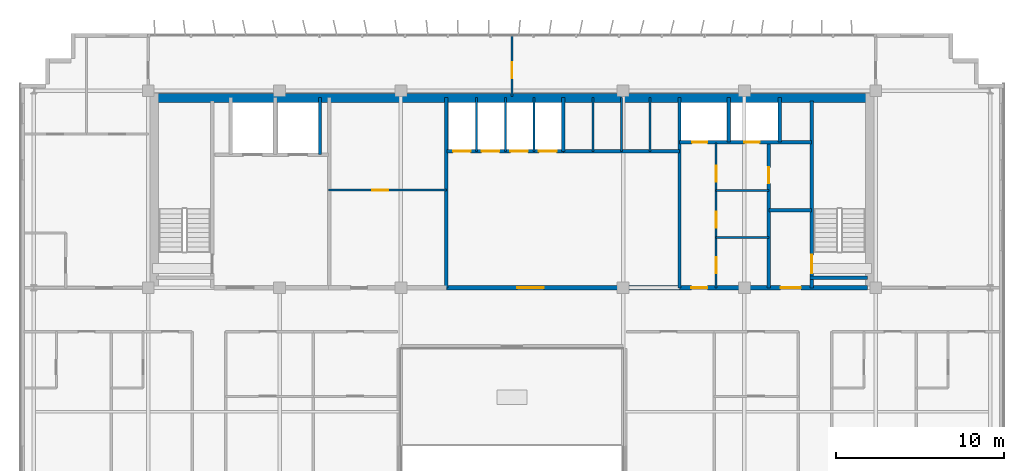
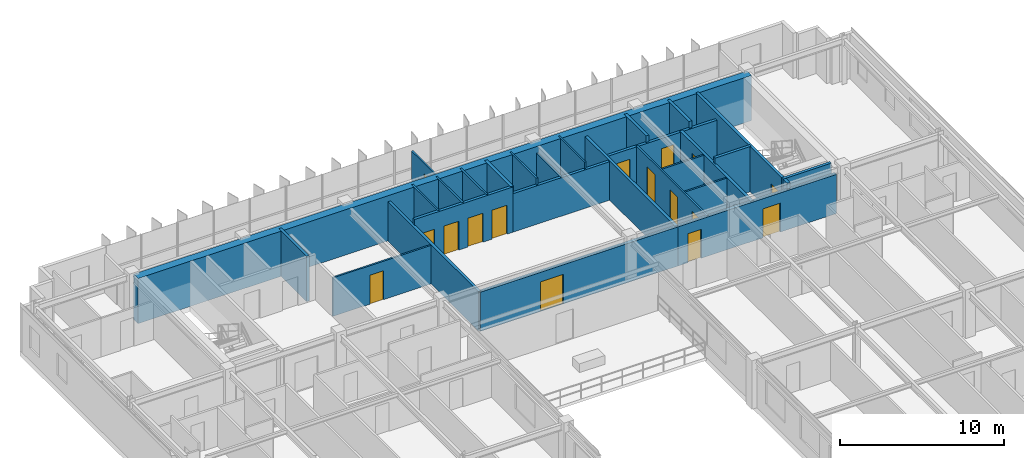
# One storey, part 20 of 23: 27 walls, 16 doors, 16 openings.
"""IFC4 building model written with IfcOpenShell, lengths in metres."""

from ifc_helpers import new_model, si_unit, direction, frame, frame_2d, origin, place, context, subcontext, project, spatial, rectangle, extrude, source, transform, mapped, material, layer, layer_set, type_object, element, fill, save


model = new_model("IFC4")

# Units and contexts
model_context = context("Model", 3, precision=1e-05, world=origin(), true_north=direction((0.0, 1.0)))
body_context = subcontext(model_context, "Body", "Model", "MODEL_VIEW")
ifc_project = project(units=[si_unit("LENGTHUNIT", "METRE"), si_unit("AREAUNIT", "SQUARE_METRE"), si_unit("VOLUMEUNIT", "CUBIC_METRE"), si_unit("PLANEANGLEUNIT", "RADIAN"), si_unit("MASSUNIT", "GRAM", prefix="KILO")], contexts=[model_context])

# Site, building, storey
site_placement = place(None, origin())
site = spatial("IfcSite", under=ifc_project, at=site_placement, CompositionType="ELEMENT")
building_placement = place(site_placement, origin())
building = spatial("IfcBuilding", under=site, at=building_placement, Name="Trelvane Seafront Commons", CompositionType="ELEMENT")
storey_placement = place(building_placement, frame((0.0, 0.0, 190.5)))
storey = spatial("IfcBuildingStorey", under=building, at=storey_placement, Name="L49", CompositionType="ELEMENT", Elevation=190.5)

# Wall, opening, door
ifc_material_1 = material(Name="Concrete C40/50", Category="concrete")
ifc_layer_1 = layer(ifc_material_1, 0.199951171875, Name="ARCH-WALL-FIRE200")
ifc_layer_set_1 = layer_set([ifc_layer_1], Name="Concrete C40/50")
wall_type_1 = type_object("IfcWallType", Name="ARCH-WALL-FIRE200", PredefinedType="PARTITIONING", material=ifc_layer_set_1)
wall_1_placement = place(storey_placement, frame((52.449951171875, 33.39990234375, 0.0), z_axis=(0.0, 0.0, 1.0), x_axis=(0.0, 1.0, 0.0)))
wall_1 = element("IfcWall", 1, at=wall_1_placement, inside=storey, type_object=wall_type_1, Name="W-L49-ST2V-W-031", PredefinedType="PARTITIONING", context=body_context, shape_type="SweptSolid", body=[
    extrude(rectangle(XDim=8.650146484375, YDim=0.199951171875, at=frame_2d((4.3251953125, 0.0))), origin(), (0.0, 0.0, 1.0), 2.909912109375),
])
opening_1_placement = place(wall_1_placement, frame((6.199951171875, 0.0, 0.0)))
opening_1 = element("IfcOpeningElement", 2, at=opening_1_placement, cuts=wall_1, Name="Opening FD-L49-15", PredefinedType="OPENING", context=body_context, shape_type="SweptSolid", body=[
    extrude(rectangle(XDim=0.949951171875, YDim=2.14990234375, at=frame_2d((0.47509765625, 1.074951171875))), frame((0.0, 0.10986328125, 0.0), z_axis=(0.0, -1.0, 0.0), x_axis=(1.0, 0.0, 0.0)), (0.0, 0.0, 1.0), 0.219970703125),
])
ifc_material_2 = material(Name="Powder-coated aluminium frame", Category="aluminium")
door_type_1 = type_object("IfcDoorType", Name="ARCH-DR-FD60-950", OperationType="NOTDEFINED", PredefinedType="DOOR", material=ifc_material_2)
shared_shape_1 = source(origin(), body_context, "Body", "SweptSolid", [
    extrude(rectangle(XDim=0.949951171875, YDim=2.14990234375, at=frame_2d((0.47509765625, 1.074951171875))), frame((0.0, 0.02490234375, 0.0), z_axis=(0.0, -1.0, 0.0), x_axis=(1.0, 0.0, 0.0)), (0.0, 0.0, 1.0), 0.050048828125),
])
door_1_placement = place(opening_1_placement, origin())
door_1 = element("IfcDoor", 3, at=door_1_placement, inside=storey, type_object=door_type_1, Name="L49 Cleaner Store Door", OperationType="SINGLE_SWING_LEFT", OverallHeight=2.14990234375, OverallWidth=0.949951171875, PredefinedType="DOOR", context=body_context, shape_type="MappedRepresentation", body=[
    mapped(shared_shape_1, transform((0.0, 0.0, 0.0), x_axis=(1.0, 0.0, 0.0), y_axis=(0.0, 1.0, 0.0), z_axis=(0.0, 0.0, 1.0), scale=1.0)),
])
fill(opening_1, door_1)

# Wall
wall_2_placement = place(storey_placement, frame((52.449951171875, 38.0, 0.0), z_axis=(0.0, 0.0, 1.0), x_axis=(1.0, 0.0, 0.0)))
element("IfcWall", 4, at=wall_2_placement, inside=storey, type_object=wall_type_1, Name="W-L49-ST2V-N-032", PredefinedType="PARTITIONING", context=body_context, shape_type="SweptSolid", body=[
    extrude(rectangle(XDim=2.550048828125, YDim=0.199951171875, at=frame_2d((1.27490234375, 0.0))), origin(), (0.0, 0.0, 1.0), 3.360107421875),
])

# Wall, opening, door
ifc_layer_2 = layer(ifc_material_1, 0.25, Name="ARCH-WALL-FIRE250")
ifc_layer_set_2 = layer_set([ifc_layer_2], Name="Concrete C40/50")
wall_type_2 = type_object("IfcWallType", Name="ARCH-WALL-FIRE250", PredefinedType="PARTITIONING", material=ifc_layer_set_2)
wall_3_placement = place(storey_placement, frame((33.300048828125, 33.39990234375, 0.0), z_axis=(0.0, 0.0, 1.0), x_axis=(1.0, 0.0, 0.0)))
wall_3 = element("IfcWall", 5, at=wall_3_placement, inside=storey, type_object=wall_type_2, Name="W-L49-CS-PAX-027", PredefinedType="PARTITIONING", context=body_context, shape_type="SweptSolid", body=[
    extrude(rectangle(XDim=13.849853515625, YDim=0.25, at=frame_2d((6.9248046875, 0.0))), origin(), (0.0, 0.0, 1.0), 2.909912109375),
])
opening_2_placement = place(wall_3_placement, frame((4.199951171875, 0.0, 0.0)))
opening_2 = element("IfcOpeningElement", 6, at=opening_2_placement, cuts=wall_3, Name="Opening FD-L49-12", PredefinedType="OPENING", context=body_context, shape_type="SweptSolid", body=[
    extrude(rectangle(XDim=1.60009765625, YDim=2.199951171875, at=frame_2d((0.800048828125, 1.10009765625))), frame((0.0, 0.135009765625, 0.0), z_axis=(0.0, -1.0, 0.0), x_axis=(1.0, 0.0, 0.0)), (0.0, 0.0, 1.0), 0.27001953125),
])
door_type_2 = type_object("IfcDoorType", Name="ARCH-DR-FD60-1600", OperationType="DOUBLE_DOOR_SINGLE_SWING", PredefinedType="DOOR", material=ifc_material_2)
shared_shape_2 = source(origin(), body_context, "Body", "SweptSolid", [
    extrude(rectangle(XDim=1.60009765625, YDim=2.199951171875, at=frame_2d((0.800048828125, 1.10009765625))), frame((0.0, 0.02490234375, 0.0), z_axis=(0.0, -1.0, 0.0), x_axis=(1.0, 0.0, 0.0)), (0.0, 0.0, 1.0), 0.050048828125),
])
door_2_placement = place(opening_2_placement, origin())
door_2 = element("IfcDoor", 7, at=door_2_placement, inside=storey, type_object=door_type_2, Name="L49 Passenger Lift Lobby Double Door", OperationType="DOUBLE_DOOR_SINGLE_SWING", OverallHeight=2.199951171875, OverallWidth=1.60009765625, PredefinedType="DOOR", context=body_context, shape_type="MappedRepresentation", body=[
    mapped(shared_shape_2, transform((0.0, 0.0, 0.0), x_axis=(1.0, 0.0, 0.0), y_axis=(0.0, 1.0, 0.0), z_axis=(0.0, 0.0, 1.0), scale=1.0)),
])
fill(opening_2, door_2)

# Wall, openings, doors
wall_4_placement = place(storey_placement, frame((47.14990234375, 33.39990234375, 0.0), z_axis=(0.0, 0.0, 1.0), x_axis=(1.0, 0.0, 0.0)))
wall_4 = element("IfcWall", 8, at=wall_4_placement, inside=storey, type_object=wall_type_2, Name="W-L49-CS-EAST-036", PredefinedType="PARTITIONING", context=body_context, shape_type="SweptSolid", body=[
    extrude(rectangle(XDim=11.150146484375, YDim=0.25, at=frame_2d((5.5751953125, 0.0))), origin(), (0.0, 0.0, 1.0), 2.909912109375),
])
opening_3_placement = place(wall_4_placement, frame((0.699951171875, 0.0, 0.0)))
opening_3 = element("IfcOpeningElement", 9, at=opening_3_placement, cuts=wall_4, Name="Opening FD-L49-19", PredefinedType="OPENING", context=body_context, shape_type="SweptSolid", body=[
    extrude(rectangle(XDim=0.949951171875, YDim=2.14990234375, at=frame_2d((0.47509765625, 1.074951171875))), frame((0.0, 0.135009765625, 0.0), z_axis=(0.0, -1.0, 0.0), x_axis=(1.0, 0.0, 0.0)), (0.0, 0.0, 1.0), 0.27001953125),
])
opening_4_placement = place(wall_4_placement, frame((6.0, 0.0, 0.0)))
opening_4 = element("IfcOpeningElement", 10, at=opening_4_placement, cuts=wall_4, Name="Opening FD-L49-20", PredefinedType="OPENING", context=body_context, shape_type="SweptSolid", body=[
    extrude(rectangle(XDim=1.199951171875, YDim=2.14990234375, at=frame_2d((0.60009765625, 1.074951171875))), frame((0.0, 0.135009765625, 0.0), z_axis=(0.0, -1.0, 0.0), x_axis=(1.0, 0.0, 0.0)), (0.0, 0.0, 1.0), 0.27001953125),
])
door_3_placement = place(opening_3_placement, origin())
door_3 = element("IfcDoor", 11, at=door_3_placement, inside=storey, type_object=door_type_1, Name="L49 Core Service Lobby Door", OperationType="SINGLE_SWING_LEFT", OverallHeight=2.14990234375, OverallWidth=0.949951171875, PredefinedType="DOOR", context=body_context, shape_type="MappedRepresentation", body=[
    mapped(shared_shape_1, transform((0.0, 0.0, 0.0), x_axis=(1.0, 0.0, 0.0), y_axis=(0.0, 1.0, 0.0), z_axis=(0.0, 0.0, 1.0), scale=1.0)),
])
fill(opening_3, door_3)
door_type_3 = type_object("IfcDoorType", Name="ARCH-DR-FD60-1200", OperationType="NOTDEFINED", PredefinedType="DOOR", material=ifc_material_2)
shared_shape_3 = source(origin(), body_context, "Body", "SweptSolid", [
    extrude(rectangle(XDim=1.199951171875, YDim=2.14990234375, at=frame_2d((0.60009765625, 1.074951171875))), frame((0.0, 0.02490234375, 0.0), z_axis=(0.0, -1.0, 0.0), x_axis=(1.0, 0.0, 0.0)), (0.0, 0.0, 1.0), 0.050048828125),
])
door_4_placement = place(opening_4_placement, origin())
door_4 = element("IfcDoor", 12, at=door_4_placement, inside=storey, type_object=door_type_3, Name="L49 East Stair Vestibule Fire Door", OperationType="SINGLE_SWING_RIGHT", OverallHeight=2.14990234375, OverallWidth=1.199951171875, PredefinedType="DOOR", context=body_context, shape_type="MappedRepresentation", body=[
    mapped(shared_shape_3, transform((0.0, 0.0, 0.0), x_axis=(1.0, 0.0, 0.0), y_axis=(0.0, 1.0, 0.0), z_axis=(0.0, 0.0, 1.0), scale=1.0)),
])
fill(opening_4, door_4)

# Wall, opening, door
ifc_material_3 = material(Name="Gypsum Drywall Acoustic Partition")
ifc_layer_3 = layer(ifc_material_3, 0.1201171875, Name="ARCH-WALL-PART120")
ifc_layer_set_3 = layer_set([ifc_layer_3], Name="Gypsum Drywall Acoustic Partition")
wall_type_3 = type_object("IfcWallType", Name="ARCH-WALL-PART120", PredefinedType="PARTITIONING", material=ifc_layer_set_3)
wall_5_placement = place(storey_placement, frame((26.300048828125, 39.199951171875, 0.0), z_axis=(0.0, 0.0, 1.0), x_axis=(1.0, 0.0, 0.0)))
wall_5 = element("IfcWall", 13, at=wall_5_placement, inside=storey, type_object=wall_type_3, Name="W-L49-FREED-PL-MID-014", PredefinedType="PARTITIONING", context=body_context, shape_type="SweptSolid", body=[
    extrude(rectangle(XDim=7.0, YDim=0.1201171875, at=frame_2d((3.5, 0.0))), origin(), (0.0, 0.0, 1.0), 2.860107421875),
])
opening_5_placement = place(wall_5_placement, frame((2.60009765625, 0.0, 0.0)))
opening_5 = element("IfcOpeningElement", 14, at=opening_5_placement, cuts=wall_5, Name="Opening D-L49-06", PredefinedType="OPENING", context=body_context, shape_type="SweptSolid", body=[
    extrude(rectangle(XDim=0.949951171875, YDim=2.14990234375, at=frame_2d((0.47509765625, 1.074951171875))), frame((0.0, 0.070068359375, 0.0), z_axis=(0.0, -1.0, 0.0), x_axis=(1.0, 0.0, 0.0)), (0.0, 0.0, 1.0), 0.14013671875),
])
ifc_material_4 = material(Name="Acoustic timber door leaf", Category="wood")
door_type_4 = type_object("IfcDoorType", Name="ARCH-DR-INT950", OperationType="NOTDEFINED", PredefinedType="DOOR", material=ifc_material_4)
door_5_placement = place(opening_5_placement, origin())
door_5 = element("IfcDoor", 15, at=door_5_placement, inside=storey, type_object=door_type_4, Name="L49 Housekeeping Store Door", OperationType="SINGLE_SWING_RIGHT", OverallHeight=2.14990234375, OverallWidth=0.949951171875, PredefinedType="DOOR", context=body_context, shape_type="MappedRepresentation", body=[
    mapped(shared_shape_1, transform((0.0, 0.0, 0.0), x_axis=(1.0, 0.0, 0.0), y_axis=(0.0, 1.0, 0.0), z_axis=(0.0, 0.0, 1.0), scale=1.0)),
])
fill(opening_5, door_5)

# Walls
for number, where, z_axis, x_axis, name in (
    (16, (35.10009765625, 41.5, 0.0), (0.0, 0.0, 1.0), (0.0, 1.0, 0.0), "W-L49-PM-DIV1-017"),
    (17, (36.800048828125, 41.5, 0.0), (0.0, 0.0, 1.0), (0.0, 1.0, 0.0), "W-L49-PM-DIV2-018"),
    (18, (38.5, 41.5, 0.0), (0.0, 0.0, 1.0), (0.0, 1.0, 0.0), "W-L49-PM-DIV3-019"),
    (19, (42.0, 41.5, 0.0), (0.0, 0.0, 1.0), (0.0, 1.0, 0.0), "W-L49-PH-DIV1-022"),
):
    element("IfcWall", number, at=place(storey_placement, frame(where, z_axis=z_axis, x_axis=x_axis)), inside=storey, type_object=wall_type_3, Name=name, PredefinedType="PARTITIONING", context=body_context, shape_type="SweptSolid", body=[
        extrude(rectangle(XDim=3.199951171875, YDim=0.1201171875, at=frame_2d((1.60009765625, 0.0))), origin(), (0.0, 0.0, 1.0), 3.360107421875),
    ])
wall_6_placement = place(storey_placement, frame((43.699951171875, 41.5, 0.0), z_axis=(0.0, 0.0, 1.0), x_axis=(0.0, 1.0, 0.0)))
element("IfcWall", 20, at=wall_6_placement, inside=storey, type_object=wall_type_3, Name="W-L49-PH-DIV2-023", PredefinedType="PARTITIONING", context=body_context, shape_type="SweptSolid", body=[
    extrude(rectangle(XDim=3.199951171875, YDim=0.1201171875, at=frame_2d((1.60009765625, 0.0))), origin(), (0.0, 0.0, 1.0), 2.860107421875),
])
wall_7_placement = place(storey_placement, frame((45.39990234375, 41.5, 0.0), z_axis=(0.0, 0.0, 1.0), x_axis=(0.0, 1.0, 0.0)))
element("IfcWall", 21, at=wall_7_placement, inside=storey, type_object=wall_type_3, Name="W-L49-PH-DIV3-024", PredefinedType="PARTITIONING", context=body_context, shape_type="SweptSolid", body=[
    extrude(rectangle(XDim=3.199951171875, YDim=0.1201171875, at=frame_2d((1.60009765625, 0.0))), origin(), (0.0, 0.0, 1.0), 3.360107421875),
])

# Wall, openings, doors
wall_8_placement = place(storey_placement, frame((49.320068359375, 33.39990234375, 0.0), z_axis=(0.0, 0.0, 1.0), x_axis=(0.0, 1.0, 0.0)))
wall_8 = element("IfcWall", 22, at=wall_8_placement, inside=storey, type_object=wall_type_3, Name="W-L49-CYC3-V-033", PredefinedType="PARTITIONING", context=body_context, shape_type="SweptSolid", body=[
    extrude(rectangle(XDim=8.60009765625, YDim=0.1201171875, at=frame_2d((4.300048828125, 0.0))), origin(), (0.0, 0.0, 1.0), 2.909912109375),
])
opening_6_placement = place(wall_8_placement, frame((0.85009765625, 0.0, 0.0)))
opening_6 = element("IfcOpeningElement", 23, at=opening_6_placement, cuts=wall_8, Name="Opening D-L49-16", PredefinedType="OPENING", context=body_context, shape_type="SweptSolid", body=[
    extrude(rectangle(XDim=0.949951171875, YDim=2.14990234375, at=frame_2d((0.47509765625, 1.074951171875))), frame((0.0, 0.070068359375, 0.0), z_axis=(0.0, -1.0, 0.0), x_axis=(1.0, 0.0, 0.0)), (0.0, 0.0, 1.0), 0.14013671875),
])
opening_7_placement = place(wall_8_placement, frame((3.550048828125, 0.0, 0.0)))
opening_7 = element("IfcOpeningElement", 24, at=opening_7_placement, cuts=wall_8, Name="Opening D-L49-17", PredefinedType="OPENING", context=body_context, shape_type="SweptSolid", body=[
    extrude(rectangle(XDim=0.949951171875, YDim=2.14990234375, at=frame_2d((0.47509765625, 1.074951171875))), frame((0.0, 0.070068359375, 0.0), z_axis=(0.0, -1.0, 0.0), x_axis=(1.0, 0.0, 0.0)), (0.0, 0.0, 1.0), 0.14013671875),
])
opening_8_placement = place(wall_8_placement, frame((6.300048828125, 0.0, 0.0)))
opening_8 = element("IfcOpeningElement", 25, at=opening_8_placement, cuts=wall_8, Name="Opening D-L49-18", PredefinedType="OPENING", context=body_context, shape_type="SweptSolid", body=[
    extrude(rectangle(XDim=0.949951171875, YDim=2.14990234375, at=frame_2d((0.47509765625, 1.074951171875))), frame((0.0, 0.070068359375, 0.0), z_axis=(0.0, -1.0, 0.0), x_axis=(1.0, 0.0, 0.0)), (0.0, 0.0, 1.0), 0.14013671875),
])
door_6_placement = place(opening_6_placement, origin())
door_6 = element("IfcDoor", 26, at=door_6_placement, inside=storey, type_object=door_type_4, Name="L49 Accessible WC Door", OperationType="SINGLE_SWING_RIGHT", OverallHeight=2.14990234375, OverallWidth=0.949951171875, PredefinedType="DOOR", context=body_context, shape_type="MappedRepresentation", body=[
    mapped(shared_shape_1, transform((0.0, 0.0, 0.0), x_axis=(1.0, 0.0, 0.0), y_axis=(0.0, 1.0, 0.0), z_axis=(0.0, 0.0, 1.0), scale=1.0)),
])
fill(opening_6, door_6)
door_7_placement = place(opening_7_placement, origin())
door_7 = element("IfcDoor", 27, at=door_7_placement, inside=storey, type_object=door_type_4, Name="L49 Staff WC Door", OperationType="SINGLE_SWING_LEFT", OverallHeight=2.14990234375, OverallWidth=0.949951171875, PredefinedType="DOOR", context=body_context, shape_type="MappedRepresentation", body=[
    mapped(shared_shape_1, transform((0.0, 0.0, 0.0), x_axis=(1.0, 0.0, 0.0), y_axis=(0.0, 1.0, 0.0), z_axis=(0.0, 0.0, 1.0), scale=1.0)),
])
fill(opening_7, door_7)
door_8_placement = place(opening_8_placement, origin())
door_8 = element("IfcDoor", 28, at=door_8_placement, inside=storey, type_object=door_type_4, Name="L49 Electrical Room Door", OperationType="SINGLE_SWING_RIGHT", OverallHeight=2.14990234375, OverallWidth=0.949951171875, PredefinedType="DOOR", context=body_context, shape_type="MappedRepresentation", body=[
    mapped(shared_shape_1, transform((0.0, 0.0, 0.0), x_axis=(1.0, 0.0, 0.0), y_axis=(0.0, 1.0, 0.0), z_axis=(0.0, 0.0, 1.0), scale=1.0)),
])
fill(opening_8, door_8)

# Walls
for number, where, z_axis, x_axis, name in (
    (29, (49.320068359375, 36.3798828125, 0.0), (0.0, 0.0, 1.0), (1.0, 0.0, 0.0), "W-L49-CYC3-H1-034"),
    (30, (49.320068359375, 39.179931640625, 0.0), (0.0, 0.0, 1.0), (1.0, 0.0, 0.0), "W-L49-CYC3-H2-035"),
):
    element("IfcWall", number, at=place(storey_placement, frame(where, z_axis=z_axis, x_axis=x_axis)), inside=storey, type_object=wall_type_3, Name=name, PredefinedType="PARTITIONING", context=body_context, shape_type="SweptSolid", body=[
        extrude(rectangle(XDim=3.1298828125, YDim=0.1201171875, at=frame_2d((1.56494140625, 0.0))), origin(), (0.0, 0.0, 1.0), 2.860107421875),
    ])

# Wall, opening, door
wall_9_placement = place(storey_placement, frame((37.199951171875, 44.75, 0.0), z_axis=(0.0, 0.0, 1.0), x_axis=(0.0, 1.0, 0.0)))
wall_9 = element("IfcWall", 31, at=wall_9_placement, inside=storey, type_object=wall_type_3, Name="W-L49-N-MID-DV-044", PredefinedType="PARTITIONING", context=body_context, shape_type="SweptSolid", body=[
    extrude(rectangle(XDim=3.610107421875, YDim=0.1201171875, at=frame_2d((1.80517578125, 0.0))), origin(), (0.0, 0.0, 1.0), 2.909912109375),
])
opening_9_placement = place(wall_9_placement, frame((1.10009765625, 0.0, 0.0)))
opening_9 = element("IfcOpeningElement", 32, at=opening_9_placement, cuts=wall_9, Name="Opening D-L49-26", PredefinedType="OPENING", context=body_context, shape_type="SweptSolid", body=[
    extrude(rectangle(XDim=0.949951171875, YDim=2.14990234375, at=frame_2d((0.47509765625, 1.074951171875))), frame((0.0, 0.070068359375, 0.0), z_axis=(0.0, -1.0, 0.0), x_axis=(1.0, 0.0, 0.0)), (0.0, 0.0, 1.0), 0.14013671875),
])
door_9_placement = place(opening_9_placement, origin())
door_9 = element("IfcDoor", 33, at=door_9_placement, inside=storey, type_object=door_type_4, Name="L49 Door 26", OperationType="SINGLE_SWING_RIGHT", OverallHeight=2.14990234375, OverallWidth=0.949951171875, PredefinedType="DOOR", context=body_context, shape_type="MappedRepresentation", body=[
    mapped(shared_shape_1, transform((0.0, 0.0, 0.0), x_axis=(1.0, 0.0, 0.0), y_axis=(0.0, 1.0, 0.0), z_axis=(0.0, 0.0, 1.0), scale=1.0)),
])
fill(opening_9, door_9)

# Walls
ifc_layer_4 = layer(ifc_material_1, 0.199951171875, Name="ARCH-WALL-SHAFT200")
ifc_layer_set_4 = layer_set([ifc_layer_4], Name="Concrete C40/50")
wall_type_4 = type_object("IfcWallType", Name="ARCH-WALL-SHAFT200", PredefinedType="SOLIDWALL", material=ifc_layer_set_4)
wall_10_placement = place(storey_placement, frame((25.800048828125, 41.300048828125, 0.0), z_axis=(0.0, 0.0, 1.0), x_axis=(0.0, 1.0, 0.0)))
element("IfcWall", 34, at=wall_10_placement, inside=storey, type_object=wall_type_4, Name="W-L49-FFL-SH-E-011", PredefinedType="SOLIDWALL", context=body_context, shape_type="SweptSolid", body=[
    extrude(rectangle(XDim=3.39990234375, YDim=0.199951171875, at=frame_2d((1.699951171875, 0.0))), origin(), (0.0, 0.0, 1.0), 3.360107421875),
])
wall_11_placement = place(storey_placement, frame((33.300048828125, 33.39990234375, 0.0), z_axis=(0.0, 0.0, 1.0), x_axis=(0.0, 1.0, 0.0)))
element("IfcWall", 35, at=wall_11_placement, inside=storey, type_object=wall_type_4, Name="W-L49-FREED-PL-E-015", PredefinedType="SOLIDWALL", context=body_context, shape_type="SweptSolid", body=[
    extrude(rectangle(XDim=11.300048828125, YDim=0.199951171875, at=frame_2d((5.64990234375, 0.0))), origin(), (0.0, 0.0, 1.0), 2.909912109375),
])

# Wall, openings, doors
wall_12_placement = place(storey_placement, frame((33.35009765625, 41.5, 0.0), z_axis=(0.0, 0.0, 1.0), x_axis=(1.0, 0.0, 0.0)))
wall_12 = element("IfcWall", 36, at=wall_12_placement, inside=storey, type_object=wall_type_4, Name="W-L49-PM-FRONT-016", PredefinedType="SOLIDWALL", context=body_context, shape_type="SweptSolid", body=[
    extrude(rectangle(XDim=6.89990234375, YDim=0.199951171875, at=frame_2d((3.449951171875, 0.0))), origin(), (0.0, 0.0, 1.0), 3.360107421875),
])
opening_10_placement = place(wall_12_placement, frame((0.35009765625, 0.0, 0.0)))
opening_10 = element("IfcOpeningElement", 37, at=opening_10_placement, cuts=wall_12, Name="Opening LD-PM1-L49", PredefinedType="OPENING", context=body_context, shape_type="SweptSolid", body=[
    extrude(rectangle(XDim=1.050048828125, YDim=2.14990234375, at=frame_2d((0.52490234375, 1.074951171875))), frame((0.0, 0.10986328125, 0.0), z_axis=(0.0, -1.0, 0.0), x_axis=(1.0, 0.0, 0.0)), (0.0, 0.0, 1.0), 0.219970703125),
])
opening_11_placement = place(wall_12_placement, frame((2.050048828125, 0.0, 0.0)))
opening_11 = element("IfcOpeningElement", 38, at=opening_11_placement, cuts=wall_12, Name="Opening LD-PM2-L49", PredefinedType="OPENING", context=body_context, shape_type="SweptSolid", body=[
    extrude(rectangle(XDim=1.050048828125, YDim=2.14990234375, at=frame_2d((0.52490234375, 1.074951171875))), frame((0.0, 0.10986328125, 0.0), z_axis=(0.0, -1.0, 0.0), x_axis=(1.0, 0.0, 0.0)), (0.0, 0.0, 1.0), 0.219970703125),
])
opening_12_placement = place(wall_12_placement, frame((3.75, 0.0, 0.0)))
opening_12 = element("IfcOpeningElement", 39, at=opening_12_placement, cuts=wall_12, Name="Opening LD-PM3-L49", PredefinedType="OPENING", context=body_context, shape_type="SweptSolid", body=[
    extrude(rectangle(XDim=1.050048828125, YDim=2.14990234375, at=frame_2d((0.52490234375, 1.074951171875))), frame((0.0, 0.10986328125, 0.0), z_axis=(0.0, -1.0, 0.0), x_axis=(1.0, 0.0, 0.0)), (0.0, 0.0, 1.0), 0.219970703125),
])
opening_13_placement = place(wall_12_placement, frame((5.449951171875, 0.0, 0.0)))
opening_13 = element("IfcOpeningElement", 40, at=opening_13_placement, cuts=wall_12, Name="Opening LD-PM4-L49", PredefinedType="OPENING", context=body_context, shape_type="SweptSolid", body=[
    extrude(rectangle(XDim=1.050048828125, YDim=2.14990234375, at=frame_2d((0.52490234375, 1.074951171875))), frame((0.0, 0.10986328125, 0.0), z_axis=(0.0, -1.0, 0.0), x_axis=(1.0, 0.0, 0.0)), (0.0, 0.0, 1.0), 0.219970703125),
])
ifc_material_5 = material(Name="Stainless steel balustrade", Category="steel")
door_type_5 = type_object("IfcDoorType", Name="ARCH-DR-LD1050", OperationType="DOUBLE_DOOR_SLIDING", PredefinedType="DOOR", material=ifc_material_5)
shared_shape_4 = source(origin(), body_context, "Body", "SweptSolid", [
    extrude(rectangle(XDim=1.050048828125, YDim=2.14990234375, at=frame_2d((0.52490234375, 1.074951171875))), frame((0.0, 0.02490234375, 0.0), z_axis=(0.0, -1.0, 0.0), x_axis=(1.0, 0.0, 0.0)), (0.0, 0.0, 1.0), 0.050048828125),
])
door_10_placement = place(opening_10_placement, origin())
door_10 = element("IfcDoor", 41, at=door_10_placement, inside=storey, type_object=door_type_5, Name="L49 Passenger Lift PM-1 Landing Door", OperationType="DOUBLE_DOOR_SLIDING", OverallHeight=2.14990234375, OverallWidth=1.050048828125, PredefinedType="DOOR", context=body_context, shape_type="MappedRepresentation", body=[
    mapped(shared_shape_4, transform((0.0, 0.0, 0.0), x_axis=(1.0, 0.0, 0.0), y_axis=(0.0, 1.0, 0.0), z_axis=(0.0, 0.0, 1.0), scale=1.0)),
])
fill(opening_10, door_10)
door_11_placement = place(opening_11_placement, origin())
door_11 = element("IfcDoor", 42, at=door_11_placement, inside=storey, type_object=door_type_5, Name="L49 Passenger Lift PM-2 Landing Door", OperationType="DOUBLE_DOOR_SLIDING", OverallHeight=2.14990234375, OverallWidth=1.050048828125, PredefinedType="DOOR", context=body_context, shape_type="MappedRepresentation", body=[
    mapped(shared_shape_4, transform((0.0, 0.0, 0.0), x_axis=(1.0, 0.0, 0.0), y_axis=(0.0, 1.0, 0.0), z_axis=(0.0, 0.0, 1.0), scale=1.0)),
])
fill(opening_11, door_11)
door_12_placement = place(opening_12_placement, origin())
door_12 = element("IfcDoor", 43, at=door_12_placement, inside=storey, type_object=door_type_5, Name="L49 Passenger Lift PM-3 Landing Door", OperationType="DOUBLE_DOOR_SLIDING", OverallHeight=2.14990234375, OverallWidth=1.050048828125, PredefinedType="DOOR", context=body_context, shape_type="MappedRepresentation", body=[
    mapped(shared_shape_4, transform((0.0, 0.0, 0.0), x_axis=(1.0, 0.0, 0.0), y_axis=(0.0, 1.0, 0.0), z_axis=(0.0, 0.0, 1.0), scale=1.0)),
])
fill(opening_12, door_12)
door_13_placement = place(opening_13_placement, origin())
door_13 = element("IfcDoor", 44, at=door_13_placement, inside=storey, type_object=door_type_5, Name="L49 Passenger Lift PM-4 Landing Door", OperationType="DOUBLE_DOOR_SLIDING", OverallHeight=2.14990234375, OverallWidth=1.050048828125, PredefinedType="DOOR", context=body_context, shape_type="MappedRepresentation", body=[
    mapped(shared_shape_4, transform((0.0, 0.0, 0.0), x_axis=(1.0, 0.0, 0.0), y_axis=(0.0, 1.0, 0.0), z_axis=(0.0, 0.0, 1.0), scale=1.0)),
])
fill(opening_13, door_13)

# Walls
wall_13_placement = place(storey_placement, frame((40.25, 41.5, 0.0), z_axis=(0.0, 0.0, 1.0), x_axis=(1.0, 0.0, 0.0)))
element("IfcWall", 45, at=wall_13_placement, inside=storey, type_object=wall_type_4, Name="W-L49-PH-FRONT-020", PredefinedType="SOLIDWALL", context=body_context, shape_type="SweptSolid", body=[
    extrude(rectangle(XDim=6.89990234375, YDim=0.199951171875, at=frame_2d((3.449951171875, 0.0))), origin(), (0.0, 0.0, 1.0), 2.860107421875),
])
wall_14_placement = place(storey_placement, frame((40.25, 41.5, 0.0), z_axis=(0.0, 0.0, 1.0), x_axis=(0.0, 1.0, 0.0)))
element("IfcWall", 46, at=wall_14_placement, inside=storey, type_object=wall_type_4, Name="W-L49-PH-WEST-SH-021", PredefinedType="SOLIDWALL", context=body_context, shape_type="SweptSolid", body=[
    extrude(rectangle(XDim=3.199951171875, YDim=0.199951171875, at=frame_2d((1.60009765625, 0.0))), origin(), (0.0, 0.0, 1.0), 3.360107421875),
])
wall_15_placement = place(storey_placement, frame((47.14990234375, 33.39990234375, 0.0), z_axis=(0.0, 0.0, 1.0), x_axis=(0.0, 1.0, 0.0)))
element("IfcWall", 47, at=wall_15_placement, inside=storey, type_object=wall_type_4, Name="W-L49-PH-EAST-025", PredefinedType="SOLIDWALL", context=body_context, shape_type="SweptSolid", body=[
    extrude(rectangle(XDim=11.300048828125, YDim=0.199951171875, at=frame_2d((5.64990234375, 0.0))), origin(), (0.0, 0.0, 1.0), 2.909912109375),
])

# Wall, openings, doors
wall_16_placement = place(storey_placement, frame((47.14990234375, 42.050048828125, 0.0), z_axis=(0.0, 0.0, 1.0), x_axis=(1.0, 0.0, 0.0)))
wall_16 = element("IfcWall", 48, at=wall_16_placement, inside=storey, type_object=wall_type_4, Name="W-L49-RSR-S-028", PredefinedType="SOLIDWALL", context=body_context, shape_type="SweptSolid", body=[
    extrude(rectangle(XDim=7.85009765625, YDim=0.199951171875, at=frame_2d((3.925048828125, 0.0))), origin(), (0.0, 0.0, 1.0), 2.860107421875),
])
opening_14_placement = place(wall_16_placement, frame((0.75, 0.0, 0.0)))
opening_14 = element("IfcOpeningElement", 49, at=opening_14_placement, cuts=wall_16, Name="Opening FD-L49-13", PredefinedType="OPENING", context=body_context, shape_type="SweptSolid", body=[
    extrude(rectangle(XDim=0.89990234375, YDim=2.10009765625, at=frame_2d((0.449951171875, 1.050048828125))), frame((0.0, 0.10986328125, 0.0), z_axis=(0.0, -1.0, 0.0), x_axis=(1.0, 0.0, 0.0)), (0.0, 0.0, 1.0), 0.219970703125),
])
opening_15_placement = place(wall_16_placement, frame((3.85009765625, 0.0, 0.0)))
opening_15 = element("IfcOpeningElement", 50, at=opening_15_placement, cuts=wall_16, Name="Opening FD-L49-14", PredefinedType="OPENING", context=body_context, shape_type="SweptSolid", body=[
    extrude(rectangle(XDim=0.89990234375, YDim=2.10009765625, at=frame_2d((0.449951171875, 1.050048828125))), frame((0.0, 0.10986328125, 0.0), z_axis=(0.0, -1.0, 0.0), x_axis=(1.0, 0.0, 0.0)), (0.0, 0.0, 1.0), 0.219970703125),
])
door_type_6 = type_object("IfcDoorType", Name="ARCH-DR-FD60-900", OperationType="NOTDEFINED", PredefinedType="DOOR", material=ifc_material_2)
shared_shape_5 = source(origin(), body_context, "Body", "SweptSolid", [
    extrude(rectangle(XDim=0.89990234375, YDim=2.10009765625, at=frame_2d((0.449951171875, 1.050048828125))), frame((0.0, 0.02490234375, 0.0), z_axis=(0.0, -1.0, 0.0), x_axis=(1.0, 0.0, 0.0)), (0.0, 0.0, 1.0), 0.050048828125),
])
door_14_placement = place(opening_14_placement, origin())
door_14 = element("IfcDoor", 51, at=door_14_placement, inside=storey, type_object=door_type_6, Name="L49 Electrical Riser Access Door", OperationType="SINGLE_SWING_LEFT", OverallHeight=2.10009765625, OverallWidth=0.89990234375, PredefinedType="DOOR", context=body_context, shape_type="MappedRepresentation", body=[
    mapped(shared_shape_5, transform((0.0, 0.0, 0.0), x_axis=(1.0, 0.0, 0.0), y_axis=(0.0, 1.0, 0.0), z_axis=(0.0, 0.0, 1.0), scale=1.0)),
])
fill(opening_14, door_14)
door_15_placement = place(opening_15_placement, origin())
door_15 = element("IfcDoor", 52, at=door_15_placement, inside=storey, type_object=door_type_6, Name="L49 Mechanical Riser Access Door", OperationType="SINGLE_SWING_RIGHT", OverallHeight=2.10009765625, OverallWidth=0.89990234375, PredefinedType="DOOR", context=body_context, shape_type="MappedRepresentation", body=[
    mapped(shared_shape_5, transform((0.0, 0.0, 0.0), x_axis=(1.0, 0.0, 0.0), y_axis=(0.0, 1.0, 0.0), z_axis=(0.0, 0.0, 1.0), scale=1.0)),
])
fill(opening_15, door_15)

# Walls
for number, where, z_axis, x_axis, name in (
    (53, (50.080078125, 42.050048828125, 0.0), (0.0, 0.0, 1.0), (0.0, 1.0, 0.0), "W-L49-RSR-DIV-029"),
    (54, (53.10009765625, 42.050048828125, 0.0), (0.0, 0.0, 1.0), (0.0, 1.0, 0.0), "W-L49-RSR-E-030"),
):
    element("IfcWall", number, at=place(storey_placement, frame(where, z_axis=z_axis, x_axis=x_axis)), inside=storey, type_object=wall_type_4, Name=name, PredefinedType="SOLIDWALL", context=body_context, shape_type="SweptSolid", body=[
        extrude(rectangle(XDim=2.64990234375, YDim=0.199951171875, at=frame_2d((1.324951171875, 0.0))), origin(), (0.0, 0.0, 1.0), 3.360107421875),
    ])
ifc_material_6 = material(Name="Concrete C50/60", Category="concrete")
ifc_layer_5 = layer(ifc_material_6, 0.550048828125, Name="STR-WALL-CORE550")
ifc_layer_set_5 = layer_set([ifc_layer_5], Name="Concrete C50/60")
wall_type_5 = type_object("IfcWallType", Name="STR-WALL-CORE550", PredefinedType="SHEAR", material=ifc_layer_set_5)
wall_17_placement = place(storey_placement, frame((15.64990234375, 44.675048828125, 0.0), z_axis=(0.0, 0.0, 1.0), x_axis=(1.0, 0.0, 0.0)))
element("IfcWall", 55, at=wall_17_placement, inside=storey, type_object=wall_type_5, Name="W-L49-CN-ALL-001", PredefinedType="SHEAR", context=body_context, shape_type="SweptSolid", body=[
    extrude(rectangle(XDim=43.10009765625, YDim=0.550048828125, at=frame_2d((21.550048828125, 0.0))), origin(), (0.0, 0.0, 1.0), 3.360107421875),
])
ifc_layer_6 = layer(ifc_material_6, 0.199951171875, Name="STR-WALL-STAIR200")
ifc_layer_set_6 = layer_set([ifc_layer_6], Name="Concrete C50/60")
wall_type_6 = type_object("IfcWallType", Name="STR-WALL-STAIR200", PredefinedType="SHEAR", material=ifc_layer_set_6)
wall_18_placement = place(storey_placement, frame((54.89990234375, 34.0, 0.0), z_axis=(0.0, 0.0, 1.0), x_axis=(1.0, 0.0, 0.0)))
element("IfcWall", 56, at=wall_18_placement, inside=storey, type_object=wall_type_6, Name="W-L49-ST2-S-006", PredefinedType="SHEAR", context=body_context, shape_type="SweptSolid", body=[
    extrude(rectangle(XDim=3.400146484375, YDim=0.199951171875, at=frame_2d((1.7001953125, 0.0))), origin(), (0.0, 0.0, 1.0), 3.360107421875),
])

# Wall, opening, door
wall_19_placement = place(storey_placement, frame((55.0, 33.39990234375, 0.0), z_axis=(0.0, 0.0, 1.0), x_axis=(0.0, 1.0, 0.0)))
wall_19 = element("IfcWall", 57, at=wall_19_placement, inside=storey, type_object=wall_type_6, Name="W-L49-ST2-W-007", PredefinedType="SHEAR", context=body_context, shape_type="SweptSolid", body=[
    extrude(rectangle(XDim=11.10009765625, YDim=0.199951171875, at=frame_2d((5.550048828125, 0.0))), origin(), (0.0, 0.0, 1.0), 3.360107421875),
])
opening_16_placement = place(wall_19_placement, frame((0.85009765625, 0.0, 0.0)))
opening_16 = element("IfcOpeningElement", 58, at=opening_16_placement, cuts=wall_19, Name="Opening ST-D2-L49", PredefinedType="OPENING", context=body_context, shape_type="SweptSolid", body=[
    extrude(rectangle(XDim=1.10009765625, YDim=2.14990234375, at=frame_2d((0.550048828125, 1.074951171875))), frame((0.0, 0.10986328125, 0.0), z_axis=(0.0, -1.0, 0.0), x_axis=(1.0, 0.0, 0.0)), (0.0, 0.0, 1.0), 0.219970703125),
])
door_type_7 = type_object("IfcDoorType", Name="ARCH-DR-FD90-1100", OperationType="NOTDEFINED", PredefinedType="DOOR", material=ifc_material_2)
shared_shape_6 = source(origin(), body_context, "Body", "SweptSolid", [
    extrude(rectangle(XDim=1.10009765625, YDim=2.14990234375, at=frame_2d((0.550048828125, 1.074951171875))), frame((0.0, 0.02490234375, 0.0), z_axis=(0.0, -1.0, 0.0), x_axis=(1.0, 0.0, 0.0)), (0.0, 0.0, 1.0), 0.050048828125),
])
door_16_placement = place(opening_16_placement, origin())
door_16 = element("IfcDoor", 59, at=door_16_placement, inside=storey, type_object=door_type_7, Name="L49 Stair ST-2 Vestibule Fire Door", OperationType="SINGLE_SWING_RIGHT", OverallHeight=2.14990234375, OverallWidth=1.10009765625, PredefinedType="DOOR", context=body_context, shape_type="MappedRepresentation", body=[
    mapped(shared_shape_6, transform((0.0, 0.0, 0.0), x_axis=(1.0, 0.0, 0.0), y_axis=(0.0, 1.0, 0.0), z_axis=(0.0, 0.0, 1.0), scale=1.0)),
])
fill(opening_16, door_16)

save(model, "model.ifc")
